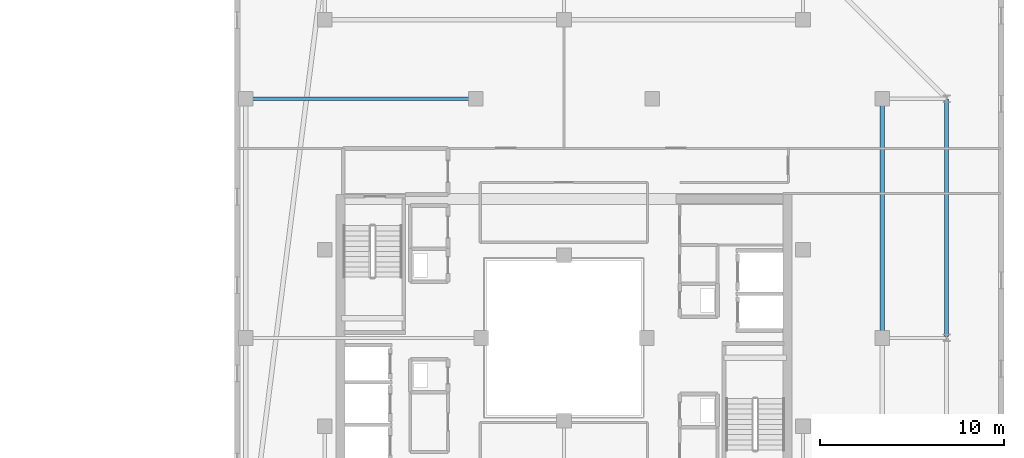
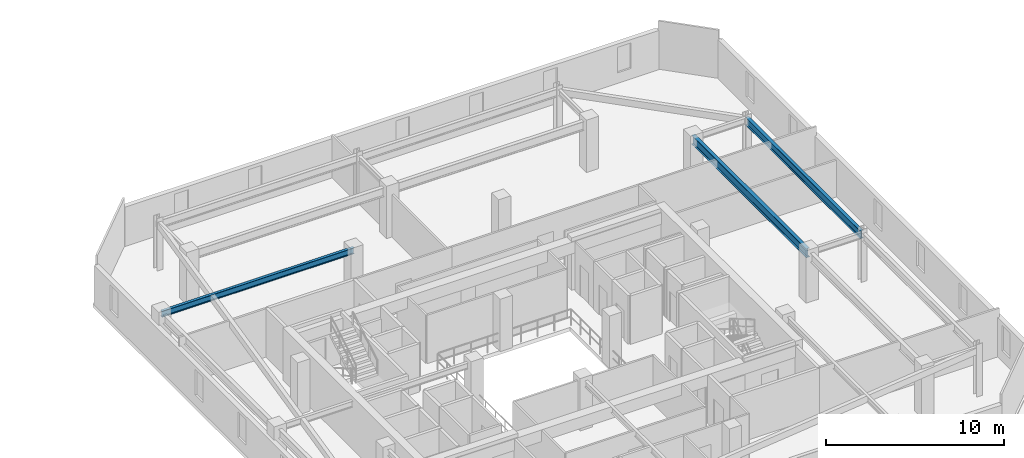
# One storey, part 13 of 31: 3 beams.
"""IFC4 building model written with IfcOpenShell, lengths in metres."""

from ifc_helpers import new_model, si_unit, direction, frame, origin, origin_2d, place, context, subcontext, project, spatial, i_section, extrude, material, material_profile, profile_set, type_object, element, save


model = new_model("IFC4")

# Units and contexts
model_context = context("Model", 3, precision=1e-05, world=origin(), true_north=direction((0.0, 1.0)))
body_context = subcontext(model_context, "Body", "Model", "MODEL_VIEW")
ifc_project = project(units=[si_unit("LENGTHUNIT", "METRE"), si_unit("AREAUNIT", "SQUARE_METRE"), si_unit("VOLUMEUNIT", "CUBIC_METRE"), si_unit("PLANEANGLEUNIT", "RADIAN"), si_unit("MASSUNIT", "GRAM", prefix="KILO")], contexts=[model_context])

# Site, building, storey
site_placement = place(None, origin())
site = spatial("IfcSite", under=ifc_project, at=site_placement, CompositionType="ELEMENT")
building_placement = place(site_placement, origin())
building = spatial("IfcBuilding", under=site, at=building_placement, Name="Thornwick Lancets Civic Towers", CompositionType="ELEMENT")
storey_placement = place(building_placement, frame((0.0, 0.0, 254.699951171875)))
storey = spatial("IfcBuildingStorey", under=building, at=storey_placement, Name="L68", CompositionType="ELEMENT", Elevation=254.699951171875)

# Beams
ifc_material = material(Name="Steel S355JR", Category="steel")
ifc_material_profile_1 = material_profile(ifc_material, i_section(OverallWidth=0.210693359375, OverallDepth=0.53955078125, WebThickness=0.01171875, FlangeThickness=0.018798828125, FilletRadius=0.0126953125, at=origin_2d()), Name="UKB 533x210x109")
ifc_profile_set_1 = profile_set([ifc_material_profile_1], Name="Steel S355JR")
beam_type_1 = type_object("IfcBeamType", Name="BM_EDGE_533_109", PredefinedType="SPANDREL", material=ifc_profile_set_1)
beam_1_placement = place(storey_placement, frame((109.300048828125, 27.080078125, 3.0703125), z_axis=(0.0, 1.0, 0.0), x_axis=(-1.0, 0.0, 0.0)))
element("IfcBeam", 1, at=beam_1_placement, inside=storey, type_object=beam_type_1, Name="BM-EDGE-L68-B-S0-2", PredefinedType="SPANDREL", context=body_context, shape_type="SweptSolid", body=[
    extrude(i_section(OverallWidth=0.210693359375, OverallDepth=0.53955078125, WebThickness=0.01171875, FlangeThickness=0.018798828125, FilletRadius=0.0126953125, at=origin_2d()), origin(), (0.0, 0.0, 1.0), 12.919921875),
])
ifc_material_profile_2 = material_profile(ifc_material, i_section(OverallWidth=0.230224609375, OverallDepth=0.6171875, WebThickness=0.01318359375, FlangeThickness=0.022216796875, FilletRadius=0.0126953125, at=origin_2d()), Name="UKB 610x229x140")
ifc_profile_set_2 = profile_set([ifc_material_profile_2], Name="Steel S355JR")
beam_type_2 = type_object("IfcBeamType", Name="BM_GIRD_610_140", PredefinedType="BEAM", material=ifc_profile_set_2)
beam_2_placement = place(storey_placement, frame((105.800048828125, 27.080078125, 3.031494140625), z_axis=(0.0, 1.0, 0.0), x_axis=(-1.0, 0.0, 0.0)))
element("IfcBeam", 2, at=beam_2_placement, inside=storey, type_object=beam_type_2, Name="BM-SPINE-L68-B-1-2", PredefinedType="BEAM", context=body_context, shape_type="SweptSolid", body=[
    extrude(i_section(OverallWidth=0.230224609375, OverallDepth=0.6171875, WebThickness=0.01318359375, FlangeThickness=0.022216796875, FilletRadius=0.0126953125, at=origin_2d()), origin(), (0.0, 0.0, 1.0), 12.919921875),
])
ifc_material_profile_3 = material_profile(ifc_material, i_section(OverallWidth=0.179443359375, OverallDepth=0.412841796875, WebThickness=0.009521484375, FlangeThickness=0.01611328125, FilletRadius=0.01025390625, at=origin_2d()), Name="UKB 406x178x74")
ifc_profile_set_3 = profile_set([ifc_material_profile_3], Name="Steel S355JR")
beam_type_3 = type_object("IfcBeamType", Name="BM_JOIST_406_74", PredefinedType="JOIST", material=ifc_profile_set_3)
beam_3_placement = place(storey_placement, frame((83.699951171875, 40.0, 3.133544921875), z_axis=(-1.0, 0.0, 0.0), x_axis=(0.0, -1.0, 0.0)))
element("IfcBeam", 3, at=beam_3_placement, inside=storey, type_object=beam_type_3, Name="BM-RADIN-L68-B09", PredefinedType="JOIST", context=body_context, shape_type="SweptSolid", body=[
    extrude(i_section(OverallWidth=0.179443359375, OverallDepth=0.412841796875, WebThickness=0.009521484375, FlangeThickness=0.01611328125, FilletRadius=0.01025390625, at=origin_2d()), origin(), (0.0, 0.0, 1.0), 12.5),
])

save(model, "model.ifc")
